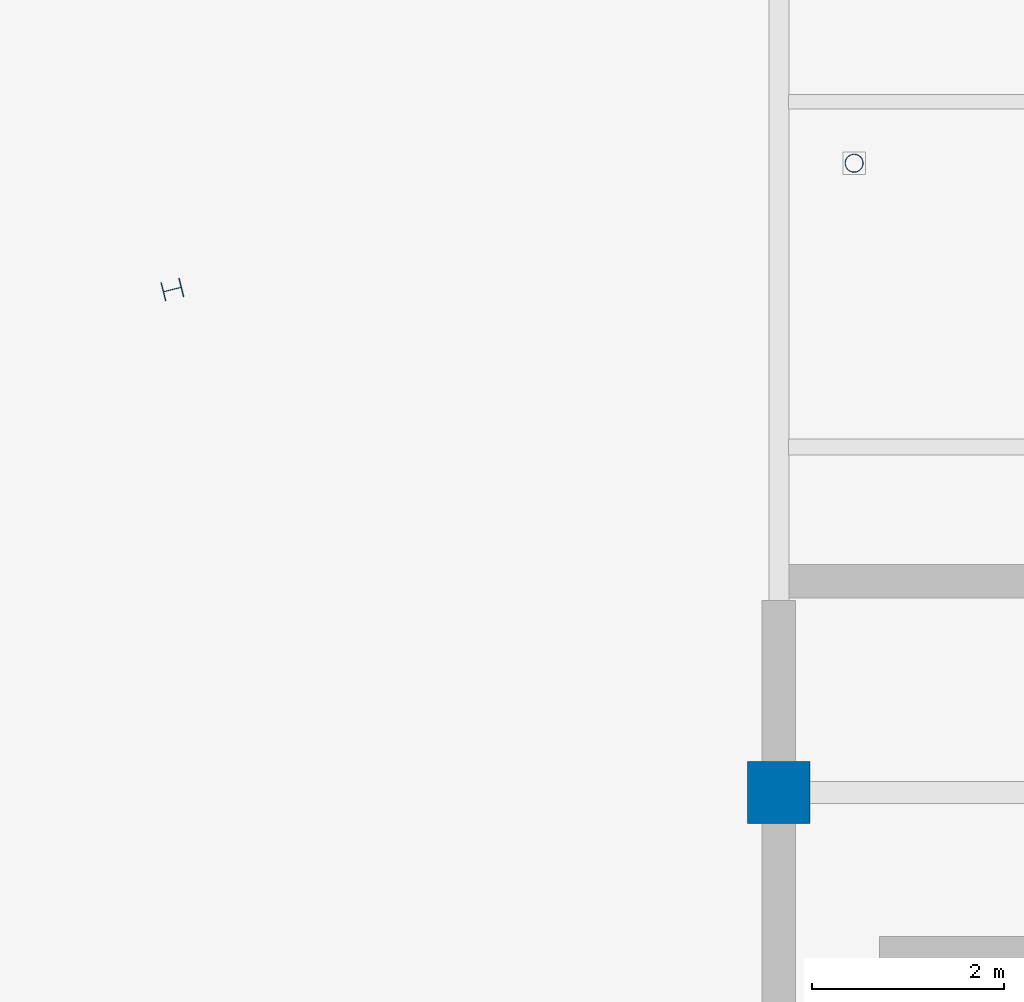
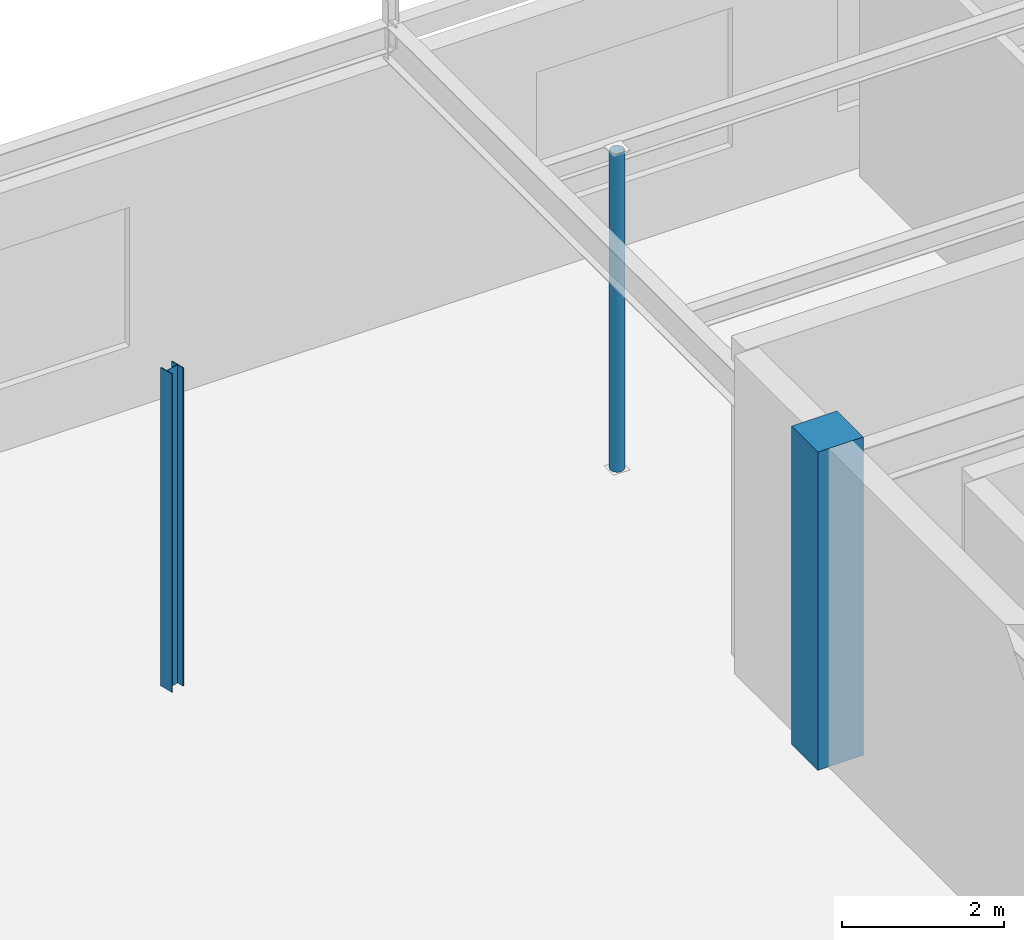
# One storey, part 33 of 199: 3 columns.
"""IFC4 building model written with IfcOpenShell, lengths in metres."""

from ifc_helpers import new_model, si_unit, direction, frame, origin, origin_2d, place, context, subcontext, project, spatial, rectangle, hollow_circle, i_section, extrude, material, material_profile, profile_set, type_object, element, save


model = new_model("IFC4")

# Units and contexts
model_context = context("Model", 3, precision=1e-05, world=origin(), true_north=direction((0.0, 1.0)))
body_context = subcontext(model_context, "Body", "Model", "MODEL_VIEW")
ifc_project = project(units=[si_unit("LENGTHUNIT", "METRE"), si_unit("AREAUNIT", "SQUARE_METRE"), si_unit("VOLUMEUNIT", "CUBIC_METRE"), si_unit("PLANEANGLEUNIT", "RADIAN"), si_unit("MASSUNIT", "GRAM", prefix="KILO")], contexts=[model_context])

# Site, building, storey
site_placement = place(None, origin())
site = spatial("IfcSite", under=ifc_project, at=site_placement, CompositionType="ELEMENT")
building_placement = place(site_placement, origin())
building = spatial("IfcBuilding", under=site, at=building_placement, Name="Tarnwether General Hospital", CompositionType="ELEMENT")
storey_placement = place(building_placement, origin())
storey = spatial("IfcBuildingStorey", under=building, at=storey_placement, Name="L00", CompositionType="ELEMENT", Elevation=0.0)

# Columns
ifc_material_1 = material(Name="Steel Grade 350 (350 MPa)", Category="steel")
ifc_material_profile_1 = material_profile(ifc_material_1, i_section(OverallWidth=0.202880859375, OverallDepth=0.202880859375, WebThickness=0.00732421875, FlangeThickness=0.010986328125, at=origin_2d()), Name="200UC46.2")
ifc_profile_set_1 = profile_set([ifc_material_profile_1], Name="Steel Grade 350 (350 MPa)")
column_type_1 = type_object("IfcColumnType", Name="COL-27", PredefinedType="COLUMN", material=ifc_profile_set_1)
column_1_placement = place(storey_placement, frame((77.677978515625, 120.44189453125, 0.0), z_axis=(0.0, 0.0, 1.0), x_axis=(-0.2419218956, 0.970295726276, 0.0)))
element("IfcColumn", 1, at=column_1_placement, inside=storey, type_object=column_type_1, Name="Column COLG-L00-7768_12044", PredefinedType="COLUMN", context=body_context, shape_type="SweptSolid", body=[
    extrude(i_section(OverallWidth=0.202880859375, OverallDepth=0.202880859375, WebThickness=0.00732421875, FlangeThickness=0.010986328125, at=origin_2d()), origin(), (0.0, 0.0, 1.0), 4.800048828125),
])
ifc_material_2 = material(Name="Steel Grade C350L0 (350 MPa)", Category="steel")
ifc_material_profile_2 = material_profile(ifc_material_2, hollow_circle(Radius=0.096923828125, WallThickness=0.008056640625, at=origin_2d()), Name="CHS193.7x8.0")
ifc_profile_set_2 = profile_set([ifc_material_profile_2], Name="Steel Grade C350L0 (350 MPa)")
column_type_2 = type_object("IfcColumnType", Name="COL-29", PredefinedType="COLUMN", material=ifc_profile_set_2)
column_2_placement = place(storey_placement, frame((84.784912109375, 121.759033203125, 0.0), z_axis=(0.0, 0.0, 1.0), x_axis=(-0.121869343405, 0.992546151641, 0.0)))
element("IfcColumn", 2, at=column_2_placement, inside=storey, type_object=column_type_2, Name="Column COLG-L00-8478_12176", PredefinedType="COLUMN", context=body_context, shape_type="SweptSolid", body=[
    extrude(hollow_circle(Radius=0.096923828125, WallThickness=0.008056640625, at=origin_2d()), origin(), (0.0, 0.0, 1.0), 4.800048828125),
])
ifc_material_3 = material(Name="Concrete 50 MPa", Category="concrete")
ifc_material_profile_3 = material_profile(ifc_material_3, rectangle(XDim=0.64990234375, YDim=0.64990234375, at=origin_2d()), Name="RC-COL-650x650")
ifc_profile_set_3 = profile_set([ifc_material_profile_3], Name="Concrete 50 MPa")
column_type_3 = type_object("IfcColumnType", Name="COL-35", PredefinedType="COLUMN", material=ifc_profile_set_3)
column_3_placement = place(storey_placement, frame((84.0, 115.199951171875, 0.0), z_axis=(0.0, 0.0, 1.0), x_axis=(0.0, 1.0, 0.0)))
element("IfcColumn", 3, at=column_3_placement, inside=storey, type_object=column_type_3, Name="Column COLG-L00-8400_11520", PredefinedType="COLUMN", context=body_context, shape_type="SweptSolid", body=[
    extrude(rectangle(XDim=0.64990234375, YDim=0.64990234375, at=origin_2d()), origin(), (0.0, 0.0, 1.0), 4.800048828125),
])

save(model, "model.ifc")
